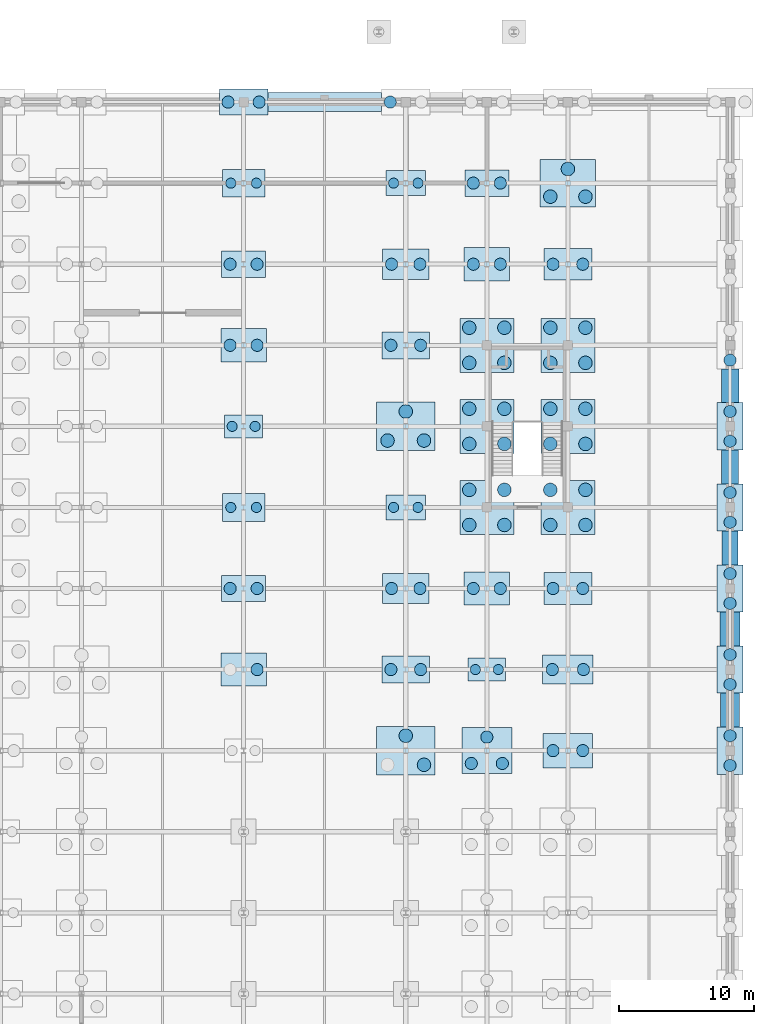
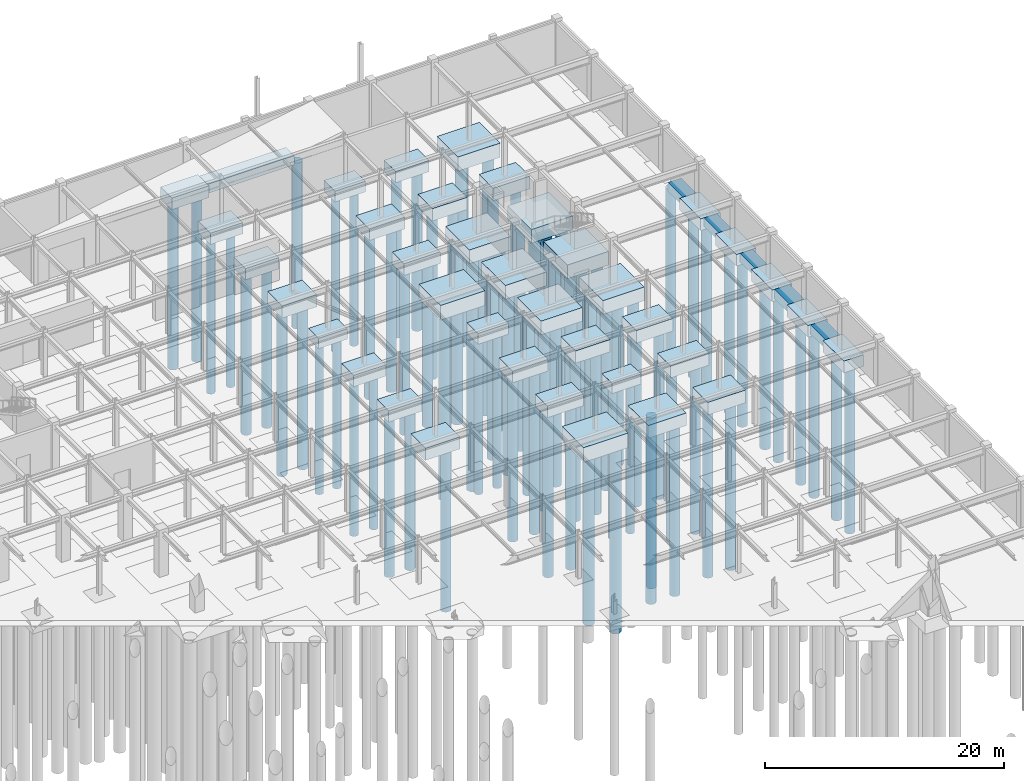
# One storey, part 10 of 69: 90 piles, 43 footings.
"""IFC4 building model written with IfcOpenShell, lengths in metres."""

from ifc_helpers import new_model, si_unit, direction, frame, origin, origin_2d, place, context, subcontext, project, spatial, rectangle, circle, extrude, material, material_profile, profile_set, type_object, element, save


model = new_model("IFC4")

# Units and contexts
model_context = context("Model", 3, precision=1e-05, world=origin(), true_north=direction((0.0, 1.0)))
body_context = subcontext(model_context, "Body", "Model", "MODEL_VIEW")
ifc_project = project(units=[si_unit("LENGTHUNIT", "METRE"), si_unit("AREAUNIT", "SQUARE_METRE"), si_unit("VOLUMEUNIT", "CUBIC_METRE"), si_unit("PLANEANGLEUNIT", "RADIAN"), si_unit("MASSUNIT", "GRAM", prefix="KILO")], contexts=[model_context])

# Site, building, storey
site_placement = place(None, origin())
site = spatial("IfcSite", under=ifc_project, at=site_placement, CompositionType="ELEMENT")
building_placement = place(site_placement, origin())
building = spatial("IfcBuilding", under=site, at=building_placement, Name="Zlatovratsky Civic Hall", CompositionType="ELEMENT")
storey_placement = place(building_placement, frame((0.0, 0.0, -4.800048828125)))
storey = spatial("IfcBuildingStorey", under=building, at=storey_placement, Name="B1", CompositionType="ELEMENT", Elevation=-4.800048828125)

# Footings
ifc_material = material(Name="Concrete C25/30 (B30)", Category="concrete")
footing_type_1 = type_object("IfcFootingType", Name="Footing_Cap2_ArchiveN_3500x2000x1200", PredefinedType="PILE_CAP", material=ifc_material)
for number, where, z_axis, x_axis, name in (
    (1, (144.0, 72.0, -1.19970703125), (0.0, 0.0, 1.0), (1.0, 0.0, 0.0), "FD-250"),
    (2, (144.0, 96.0, -1.19970703125), (0.0, 0.0, 1.0), (1.0, 0.0, 0.0), "FD-342"),
):
    element("IfcFooting", number, at=place(storey_placement, frame(where, z_axis=z_axis, x_axis=x_axis)), inside=storey, type_object=footing_type_1, Name=name, PredefinedType="PILE_CAP", context=body_context, shape_type="SweptSolid", body=[
        extrude(rectangle(XDim=3.5, YDim=2.0, at=origin_2d()), origin(), (0.0, 0.0, 1.0), 1.199951171875),
    ])
footing_type_2 = type_object("IfcFootingType", Name="Footing_Cap2_ArchiveS_3250x1950x1150", PredefinedType="PILE_CAP", material=ifc_material)
for number, where, z_axis, x_axis, name in (
    (3, (132.0, 78.0, -1.14990234375), (0.0, 0.0, 1.0), (1.0, 0.0, 0.0), "FD-272"),
    (4, (132.0, 102.0, -1.14990234375), (0.0, 0.0, 1.0), (1.0, 0.0, 0.0), "FD-364"),
    (5, (150.0, 108.0, -1.14990234375), (0.0, 0.0, 1.0), (1.0, 0.0, 0.0), "FD-389"),
):
    element("IfcFooting", number, at=place(storey_placement, frame(where, z_axis=z_axis, x_axis=x_axis)), inside=storey, type_object=footing_type_2, Name=name, PredefinedType="PILE_CAP", context=body_context, shape_type="SweptSolid", body=[
        extrude(rectangle(XDim=3.25, YDim=1.949951171875, at=origin_2d()), origin(), (0.0, 0.0, 1.0), 1.14990234375),
    ])
footing_type_3 = type_object("IfcFootingType", Name="Footing_Cap2_Boulevard_3550x2350x1300", PredefinedType="PILE_CAP", material=ifc_material)
for number, where, z_axis, x_axis, name in (
    (6, (156.0, 78.0, -1.2998046875), (0.0, 0.0, 1.0), (1.0, 0.0, 0.0), "FD-275"),
    (7, (156.0, 102.0, -1.2998046875), (0.0, 0.0, 1.0), (1.0, 0.0, 0.0), "FD-367"),
):
    element("IfcFooting", number, at=place(storey_placement, frame(where, z_axis=z_axis, x_axis=x_axis)), inside=storey, type_object=footing_type_3, Name=name, PredefinedType="PILE_CAP", context=body_context, shape_type="SweptSolid", body=[
        extrude(rectangle(XDim=3.550048828125, YDim=2.35009765625, at=origin_2d()), origin(), (0.0, 0.0, 1.0), 1.300048828125),
    ])
footing_type_4 = type_object("IfcFootingType", Name="Footing_Cap2_CourtN_2950x1850x1100", PredefinedType="PILE_CAP", material=ifc_material)
for number, where, z_axis, x_axis, name in (
    (8, (144.0, 84.0, -1.10009765625), (0.0, 0.0, 1.0), (1.0, 0.0, 0.0), "FD-296"),
    (9, (144.0, 108.0, -1.10009765625), (0.0, 0.0, 1.0), (1.0, 0.0, 0.0), "FD-388"),
):
    element("IfcFooting", number, at=place(storey_placement, frame(where, z_axis=z_axis, x_axis=x_axis)), inside=storey, type_object=footing_type_4, Name=name, PredefinedType="PILE_CAP", context=body_context, shape_type="SweptSolid", body=[
        extrude(rectangle(XDim=2.949951171875, YDim=1.85009765625, at=origin_2d()), origin(), (0.0, 0.0, 1.0), 1.10009765625),
    ])
footing_type_5 = type_object("IfcFootingType", Name="Footing_Cap2_CourtS_2800x1700x1050", PredefinedType="PILE_CAP", material=ifc_material)
for number, where, z_axis, x_axis, name in (
    (10, (150.0, 72.0, -1.0498046875), (0.0, 0.0, 1.0), (1.0, 0.0, 0.0), "FD-251"),
    (11, (132.0, 90.0, -1.0498046875), (0.0, 0.0, 1.0), (1.0, 0.0, 0.0), "FD-318"),
):
    element("IfcFooting", number, at=place(storey_placement, frame(where, z_axis=z_axis, x_axis=x_axis)), inside=storey, type_object=footing_type_5, Name=name, PredefinedType="PILE_CAP", context=body_context, shape_type="SweptSolid", body=[
        extrude(rectangle(XDim=2.800048828125, YDim=1.699951171875, at=origin_2d()), origin(), (0.0, 0.0, 1.0), 1.050048828125),
    ])
footing_type_6 = type_object("IfcFootingType", Name="Footing_Cap2_Galleria_3150x2050x1150", PredefinedType="PILE_CAP", material=ifc_material)
for number, where, z_axis, x_axis, name in (
    (12, (132.0, 84.0, -1.14990234375), (0.0, 0.0, 1.0), (1.0, 0.0, 0.0), "FD-295"),
    (13, (132.0, 108.0, -1.14990234375), (0.0, 0.0, 1.0), (1.0, 0.0, 0.0), "FD-387"),
):
    element("IfcFooting", number, at=place(storey_placement, frame(where, z_axis=z_axis, x_axis=x_axis)), inside=storey, type_object=footing_type_6, Name=name, PredefinedType="PILE_CAP", context=body_context, shape_type="SweptSolid", body=[
        extrude(rectangle(XDim=3.14990234375, YDim=2.050048828125, at=origin_2d()), origin(), (0.0, 0.0, 1.0), 1.14990234375),
    ])
footing_type_7 = type_object("IfcFootingType", Name="Footing_Cap2_LibraryE_3650x2550x1300", PredefinedType="PILE_CAP", material=ifc_material)
footing_1_placement = place(storey_placement, frame((156.0, 66.0, -1.2998046875), z_axis=(0.0, 0.0, 1.0), x_axis=(1.0, 0.0, 0.0)))
element("IfcFooting", 14, at=footing_1_placement, inside=storey, type_object=footing_type_7, Name="FD-229", PredefinedType="PILE_CAP", context=body_context, shape_type="SweptSolid", body=[
    extrude(rectangle(XDim=3.64990234375, YDim=2.550048828125, at=origin_2d()), origin(), (0.0, 0.0, 1.0), 1.300048828125),
])
footing_type_8 = type_object("IfcFootingType", Name="Footing_Cap2_PlantB1_3350x2450x1250", PredefinedType="PILE_CAP", material=ifc_material)
for number, where, z_axis, x_axis, name in (
    (15, (132.0, 72.0, -1.25), (0.0, 0.0, 1.0), (1.0, 0.0, 0.0), "FD-249"),
    (16, (150.0, 78.0, -1.25), (0.0, 0.0, 1.0), (1.0, 0.0, 0.0), "FD-274"),
    (17, (132.0, 96.0, -1.25), (0.0, 0.0, 1.0), (1.0, 0.0, 0.0), "FD-341"),
    (18, (150.0, 102.0, -1.25), (0.0, 0.0, 1.0), (1.0, 0.0, 0.0), "FD-366"),
):
    element("IfcFooting", number, at=place(storey_placement, frame(where, z_axis=z_axis, x_axis=x_axis)), inside=storey, type_object=footing_type_8, Name=name, PredefinedType="PILE_CAP", context=body_context, shape_type="SweptSolid", body=[
        extrude(rectangle(XDim=3.35009765625, YDim=2.449951171875, at=origin_2d()), origin(), (0.0, 0.0, 1.0), 1.25),
    ])
footing_type_9 = type_object("IfcFootingType", Name="Footing_Cap2_ReceptionW_3450x2250x1200", PredefinedType="PILE_CAP", material=ifc_material)
for number, where, z_axis, x_axis, name in (
    (19, (144.0, 78.0, -1.19970703125), (0.0, 0.0, 1.0), (1.0, 0.0, 0.0), "FD-273"),
    (20, (144.0, 102.0, -1.19970703125), (0.0, 0.0, 1.0), (1.0, 0.0, 0.0), "FD-365"),
):
    element("IfcFooting", number, at=place(storey_placement, frame(where, z_axis=z_axis, x_axis=x_axis)), inside=storey, type_object=footing_type_9, Name=name, PredefinedType="PILE_CAP", context=body_context, shape_type="SweptSolid", body=[
        extrude(rectangle(XDim=3.449951171875, YDim=2.25, at=origin_2d()), origin(), (0.0, 0.0, 1.0), 1.199951171875),
    ])
footing_type_10 = type_object("IfcFootingType", Name="Footing_Cap2_ServiceE_3750x2150x1250", PredefinedType="PILE_CAP", material=ifc_material)
footing_2_placement = place(storey_placement, frame((156.0, 72.0, -1.25), z_axis=(0.0, 0.0, 1.0), x_axis=(1.0, 0.0, 0.0)))
element("IfcFooting", 21, at=footing_2_placement, inside=storey, type_object=footing_type_10, Name="FD-252", PredefinedType="PILE_CAP", context=body_context, shape_type="SweptSolid", body=[
    extrude(rectangle(XDim=3.75, YDim=2.14990234375, at=origin_2d()), origin(), (0.0, 0.0, 1.0), 1.25),
])
footing_type_11 = type_object("IfcFootingType", Name="Footing_Cap2_WingEdgeX_3600x1900x1200", PredefinedType="PILE_CAP", material=ifc_material)
footing_3_placement = place(storey_placement, frame((132.0, 114.0, -1.19970703125), z_axis=(0.0, 0.0, 1.0), x_axis=(1.0, 0.0, 0.0)))
element("IfcFooting", 22, at=footing_3_placement, inside=storey, type_object=footing_type_11, Name="FD-410", PredefinedType="PILE_CAP", context=body_context, shape_type="SweptSolid", body=[
    extrude(rectangle(XDim=3.60009765625, YDim=1.89990234375, at=origin_2d()), origin(), (0.0, 0.0, 1.0), 1.199951171875),
])
footing_type_12 = type_object("IfcFootingType", Name="Footing_Cap2_WingEdgeY_1900x3500x1200", PredefinedType="PILE_CAP", material=ifc_material)
for number, where, z_axis, x_axis, name in (
    (23, (168.0, 66.0, -1.19970703125), (0.0, 0.0, 1.0), (1.0, 0.0, 0.0), "FD-230"),
    (24, (168.0, 72.0, -1.19970703125), (0.0, 0.0, 1.0), (1.0, 0.0, 0.0), "FD-253"),
    (25, (168.0, 78.0, -1.19970703125), (0.0, 0.0, 1.0), (1.0, 0.0, 0.0), "FD-276"),
    (26, (168.0, 84.0, -1.19970703125), (0.0, 0.0, 1.0), (1.0, 0.0, 0.0), "FD-299"),
    (27, (168.0, 90.0, -1.19970703125), (0.0, 0.0, 1.0), (1.0, 0.0, 0.0), "FD-322"),
):
    element("IfcFooting", number, at=place(storey_placement, frame(where, z_axis=z_axis, x_axis=x_axis)), inside=storey, type_object=footing_type_12, Name=name, PredefinedType="PILE_CAP", context=body_context, shape_type="SweptSolid", body=[
        extrude(rectangle(XDim=1.89990234375, YDim=3.5, at=origin_2d()), origin(), (0.0, 0.0, 1.0), 1.199951171875),
    ])
footing_type_13 = type_object("IfcFootingType", Name="Footing_Cap3_CourtEdge_3700x3400x1300", PredefinedType="PILE_CAP", material=ifc_material)
footing_4_placement = place(storey_placement, frame((150.0, 66.0, -1.2998046875), z_axis=(0.0, 0.0, 1.0), x_axis=(1.0, 0.0, 0.0)))
element("IfcFooting", 28, at=footing_4_placement, inside=storey, type_object=footing_type_13, Name="FD-228", PredefinedType="PILE_CAP", context=body_context, shape_type="SweptSolid", body=[
    extrude(rectangle(XDim=3.699951171875, YDim=3.39990234375, at=origin_2d()), origin(), (0.0, 0.0, 1.0), 1.300048828125),
])
footing_type_14 = type_object("IfcFootingType", Name="Footing_Cap3_TowerFlank_4100x3500x1450", PredefinedType="PILE_CAP", material=ifc_material)
footing_5_placement = place(storey_placement, frame((156.0, 108.0, -1.44970703125), z_axis=(0.0, 0.0, 1.0), x_axis=(1.0, 0.0, 0.0)))
element("IfcFooting", 29, at=footing_5_placement, inside=storey, type_object=footing_type_14, Name="FD-390", PredefinedType="PILE_CAP", context=body_context, shape_type="SweptSolid", body=[
    extrude(rectangle(XDim=4.10009765625, YDim=3.5, at=origin_2d()), origin(), (0.0, 0.0, 1.0), 1.449951171875),
])
footing_type_15 = type_object("IfcFootingType", Name="Footing_Cap3_TowerNorth_4300x3600x1500", PredefinedType="PILE_CAP", material=ifc_material)
for number, where, z_axis, x_axis, name in (
    (30, (144.0, 66.0, -1.5), (0.0, 0.0, 1.0), (1.0, 0.0, 0.0), "FD-227"),
    (31, (144.0, 90.0, -1.5), (0.0, 0.0, 1.0), (1.0, 0.0, 0.0), "FD-319"),
):
    element("IfcFooting", number, at=place(storey_placement, frame(where, z_axis=z_axis, x_axis=x_axis)), inside=storey, type_object=footing_type_15, Name=name, PredefinedType="PILE_CAP", context=body_context, shape_type="SweptSolid", body=[
        extrude(rectangle(XDim=4.300048828125, YDim=3.60009765625, at=origin_2d()), origin(), (0.0, 0.0, 1.0), 1.5),
    ])
footing_type_16 = type_object("IfcFootingType", Name="Footing_Cap4_PodiumCore_4000x4000x1400", PredefinedType="PILE_CAP", material=ifc_material)
for number, where, z_axis, x_axis, name in (
    (32, (150.0, 84.0, -1.39990234375), (0.0, 0.0, 1.0), (1.0, 0.0, 0.0), "FD-297"),
    (33, (156.0, 84.0, -1.39990234375), (0.0, 0.0, 1.0), (1.0, 0.0, 0.0), "FD-298"),
    (34, (150.0, 90.0, -1.39990234375), (0.0, 0.0, 1.0), (1.0, 0.0, 0.0), "FD-320"),
    (35, (156.0, 90.0, -1.39990234375), (0.0, 0.0, 1.0), (1.0, 0.0, 0.0), "FD-321"),
    (36, (150.0, 96.0, -1.39990234375), (0.0, 0.0, 1.0), (1.0, 0.0, 0.0), "FD-343"),
    (37, (156.0, 96.0, -1.39990234375), (0.0, 0.0, 1.0), (1.0, 0.0, 0.0), "FD-344"),
):
    element("IfcFooting", number, at=place(storey_placement, frame(where, z_axis=z_axis, x_axis=x_axis)), inside=storey, type_object=footing_type_16, Name=name, PredefinedType="PILE_CAP", context=body_context, shape_type="SweptSolid", body=[
        extrude(rectangle(XDim=4.0, YDim=4.0, at=origin_2d()), origin(), (0.0, 0.0, 1.0), 1.39990234375),
    ])
footing_type_17 = type_object("IfcFootingType", Name="Footing_Strip_B1_01", PredefinedType="STRIP_FOOTING", material=ifc_material)
footing_6_placement = place(storey_placement, frame((168.0, 81.0, -0.85009765625), z_axis=(0.0, 0.0, 1.0), x_axis=(1.0, 0.0, 0.0)))
element("IfcFooting", 38, at=footing_6_placement, inside=storey, type_object=footing_type_17, Name="FD-487", PredefinedType="STRIP_FOOTING", context=body_context, shape_type="SweptSolid", body=[
    extrude(rectangle(XDim=1.199951171875, YDim=2.5, at=origin_2d()), origin(), (0.0, 0.0, 1.0), 0.85009765625),
])
footing_type_18 = type_object("IfcFootingType", Name="Footing_Strip_B1_02", PredefinedType="STRIP_FOOTING", material=ifc_material)
footing_7_placement = place(storey_placement, frame((168.0, 87.0, -0.85009765625), z_axis=(0.0, 0.0, 1.0), x_axis=(1.0, 0.0, 0.0)))
element("IfcFooting", 39, at=footing_7_placement, inside=storey, type_object=footing_type_18, Name="FD-488", PredefinedType="STRIP_FOOTING", context=body_context, shape_type="SweptSolid", body=[
    extrude(rectangle(XDim=1.25, YDim=2.5, at=origin_2d()), origin(), (0.0, 0.0, 1.0), 0.85009765625),
])
footing_type_19 = type_object("IfcFootingType", Name="Footing_Strip_B1_03", PredefinedType="STRIP_FOOTING", material=ifc_material)
footing_8_placement = place(storey_placement, frame((168.0, 93.0, -0.89990234375), z_axis=(0.0, 0.0, 1.0), x_axis=(1.0, 0.0, 0.0)))
element("IfcFooting", 40, at=footing_8_placement, inside=storey, type_object=footing_type_19, Name="FD-489", PredefinedType="STRIP_FOOTING", context=body_context, shape_type="SweptSolid", body=[
    extrude(rectangle(XDim=1.300048828125, YDim=2.5, at=origin_2d()), origin(), (0.0, 0.0, 1.0), 0.89990234375),
])
footing_type_20 = type_object("IfcFootingType", Name="Footing_Strip_B1_05", PredefinedType="STRIP_FOOTING", material=ifc_material)
footing_9_placement = place(storey_placement, frame((138.0, 114.0, -0.94970703125), z_axis=(0.0, 0.0, 1.0), x_axis=(1.0, 0.0, 0.0)))
element("IfcFooting", 41, at=footing_9_placement, inside=storey, type_object=footing_type_20, Name="FD-455", PredefinedType="STRIP_FOOTING", context=body_context, shape_type="SweptSolid", body=[
    extrude(rectangle(XDim=8.39990234375, YDim=1.39990234375, at=origin_2d()), origin(), (0.0, 0.0, 1.0), 0.949951171875),
])
footing_10_placement = place(storey_placement, frame((168.0, 69.0, -0.94970703125), z_axis=(0.0, 0.0, 1.0), x_axis=(1.0, 0.0, 0.0)))
element("IfcFooting", 42, at=footing_10_placement, inside=storey, type_object=footing_type_20, Name="FD-485", PredefinedType="STRIP_FOOTING", context=body_context, shape_type="SweptSolid", body=[
    extrude(rectangle(XDim=1.39990234375, YDim=2.5, at=origin_2d()), origin(), (0.0, 0.0, 1.0), 0.949951171875),
])
footing_type_21 = type_object("IfcFootingType", Name="Footing_Strip_B1_06", PredefinedType="STRIP_FOOTING", material=ifc_material)
footing_11_placement = place(storey_placement, frame((168.0, 75.0, -0.94970703125), z_axis=(0.0, 0.0, 1.0), x_axis=(1.0, 0.0, 0.0)))
element("IfcFooting", 43, at=footing_11_placement, inside=storey, type_object=footing_type_21, Name="FD-486", PredefinedType="STRIP_FOOTING", context=body_context, shape_type="SweptSolid", body=[
    extrude(rectangle(XDim=1.449951171875, YDim=2.5, at=origin_2d()), origin(), (0.0, 0.0, 1.0), 0.949951171875),
])

# Piles
ifc_material_profile_1 = material_profile(ifc_material, circle(Radius=0.5, at=origin_2d()), Name="PILE D1000")
ifc_profile_set_1 = profile_set([ifc_material_profile_1], Name="Concrete C25/30 (B30)")
pile_type_1 = type_object("IfcPileType", Name="Pile_Bored_D1000", PredefinedType="BORED", material=ifc_profile_set_1)
for number, where, z_axis, x_axis, name in (
    (44, (145.35009765625, 64.949951171875, -1.39990234375), (0.0, 0.0, -1.0), (1.0, 0.0, 0.0), "PL-0557"),
    (45, (144.0, 67.10009765625, -1.39990234375), (0.0, 0.0, -1.0), (1.0, 0.0, 0.0), "PL-0558"),
):
    element("IfcPile", number, at=place(storey_placement, frame(where, z_axis=z_axis, x_axis=x_axis)), inside=storey, type_object=pile_type_1, Name=name, PredefinedType="BORED", context=body_context, shape_type="SweptSolid", body=[
        extrude(circle(Radius=0.5, at=origin_2d()), origin(), (0.0, 0.0, 1.0), 19.0),
    ])
for number, where, z_axis, x_axis, name in (
    (46, (148.699951171875, 82.699951171875, -1.300048828125), (0.0, 0.0, -1.0), (1.0, 0.0, 0.0), "PL-0772"),
    (47, (151.300048828125, 82.699951171875, -1.300048828125), (0.0, 0.0, -1.0), (1.0, 0.0, 0.0), "PL-0773"),
    (48, (148.699951171875, 85.300048828125, -1.300048828125), (0.0, 0.0, -1.0), (1.0, 0.0, 0.0), "PL-0774"),
    (49, (151.300048828125, 85.300048828125, -1.300048828125), (0.0, 0.0, -1.0), (1.0, 0.0, 0.0), "PL-0775"),
    (50, (154.699951171875, 82.699951171875, -1.300048828125), (0.0, 0.0, -1.0), (1.0, 0.0, 0.0), "PL-0776"),
    (51, (157.300048828125, 82.699951171875, -1.300048828125), (0.0, 0.0, -1.0), (1.0, 0.0, 0.0), "PL-0777"),
    (52, (154.699951171875, 85.300048828125, -1.300048828125), (0.0, 0.0, -1.0), (1.0, 0.0, 0.0), "PL-0778"),
    (53, (157.300048828125, 85.300048828125, -1.300048828125), (0.0, 0.0, -1.0), (1.0, 0.0, 0.0), "PL-0779"),
):
    element("IfcPile", number, at=place(storey_placement, frame(where, z_axis=z_axis, x_axis=x_axis)), inside=storey, type_object=pile_type_1, Name=name, PredefinedType="BORED", context=body_context, shape_type="SweptSolid", body=[
        extrude(circle(Radius=0.5, at=origin_2d()), origin(), (0.0, 0.0, 1.0), 18.5),
    ])
for number, where, z_axis, x_axis, name in (
    (54, (142.64990234375, 88.949951171875, -1.39990234375), (0.0, 0.0, -1.0), (1.0, 0.0, 0.0), "PL-0846"),
    (55, (145.35009765625, 88.949951171875, -1.39990234375), (0.0, 0.0, -1.0), (1.0, 0.0, 0.0), "PL-0847"),
    (56, (144.0, 91.10009765625, -1.39990234375), (0.0, 0.0, -1.0), (1.0, 0.0, 0.0), "PL-0848"),
):
    element("IfcPile", number, at=place(storey_placement, frame(where, z_axis=z_axis, x_axis=x_axis)), inside=storey, type_object=pile_type_1, Name=name, PredefinedType="BORED", context=body_context, shape_type="SweptSolid", body=[
        extrude(circle(Radius=0.5, at=origin_2d()), origin(), (0.0, 0.0, 1.0), 19.0),
    ])
for number, where, z_axis, x_axis, name in (
    (57, (148.699951171875, 88.699951171875, -1.300048828125), (0.0, 0.0, -1.0), (1.0, 0.0, 0.0), "PL-0849"),
    (58, (151.300048828125, 88.699951171875, -1.300048828125), (0.0, 0.0, -1.0), (1.0, 0.0, 0.0), "PL-0850"),
    (59, (148.699951171875, 91.300048828125, -1.300048828125), (0.0, 0.0, -1.0), (1.0, 0.0, 0.0), "PL-0851"),
    (60, (151.300048828125, 91.300048828125, -1.300048828125), (0.0, 0.0, -1.0), (1.0, 0.0, 0.0), "PL-0852"),
    (61, (154.699951171875, 88.699951171875, -1.300048828125), (0.0, 0.0, -1.0), (1.0, 0.0, 0.0), "PL-0853"),
    (62, (157.300048828125, 88.699951171875, -1.300048828125), (0.0, 0.0, -1.0), (1.0, 0.0, 0.0), "PL-0854"),
    (63, (154.699951171875, 91.300048828125, -1.300048828125), (0.0, 0.0, -1.0), (1.0, 0.0, 0.0), "PL-0855"),
    (64, (157.300048828125, 91.300048828125, -1.300048828125), (0.0, 0.0, -1.0), (1.0, 0.0, 0.0), "PL-0856"),
    (65, (148.699951171875, 94.699951171875, -1.300048828125), (0.0, 0.0, -1.0), (1.0, 0.0, 0.0), "PL-0927"),
    (66, (151.300048828125, 94.699951171875, -1.300048828125), (0.0, 0.0, -1.0), (1.0, 0.0, 0.0), "PL-0928"),
    (67, (148.699951171875, 97.300048828125, -1.300048828125), (0.0, 0.0, -1.0), (1.0, 0.0, 0.0), "PL-0929"),
    (68, (151.300048828125, 97.300048828125, -1.300048828125), (0.0, 0.0, -1.0), (1.0, 0.0, 0.0), "PL-0930"),
    (69, (154.699951171875, 94.699951171875, -1.300048828125), (0.0, 0.0, -1.0), (1.0, 0.0, 0.0), "PL-0931"),
    (70, (157.300048828125, 94.699951171875, -1.300048828125), (0.0, 0.0, -1.0), (1.0, 0.0, 0.0), "PL-0932"),
    (71, (154.699951171875, 97.300048828125, -1.300048828125), (0.0, 0.0, -1.0), (1.0, 0.0, 0.0), "PL-0933"),
    (72, (157.300048828125, 97.300048828125, -1.300048828125), (0.0, 0.0, -1.0), (1.0, 0.0, 0.0), "PL-0934"),
    (73, (154.699951171875, 107.0, -1.349853515625), (0.0, 0.0, -1.0), (1.0, 0.0, 0.0), "PL-1071"),
    (74, (157.300048828125, 107.0, -1.349853515625), (0.0, 0.0, -1.0), (1.0, 0.0, 0.0), "PL-1072"),
    (75, (156.0, 109.050048828125, -1.349853515625), (0.0, 0.0, -1.0), (1.0, 0.0, 0.0), "PL-1073"),
):
    element("IfcPile", number, at=place(storey_placement, frame(where, z_axis=z_axis, x_axis=x_axis)), inside=storey, type_object=pile_type_1, Name=name, PredefinedType="BORED", context=body_context, shape_type="SweptSolid", body=[
        extrude(circle(Radius=0.5, at=origin_2d()), origin(), (0.0, 0.0, 1.0), 18.5),
    ])
ifc_material_profile_2 = material_profile(ifc_material, circle(Radius=0.375, at=origin_2d()), Name="PILE D750")
ifc_profile_set_2 = profile_set([ifc_material_profile_2], Name="Concrete C25/30 (B30)")
pile_type_2 = type_object("IfcPileType", Name="Pile_Bored_D750", PredefinedType="BORED", material=ifc_profile_set_2)
for number, where, z_axis, x_axis, name in (
    (76, (149.14990234375, 72.0, -0.949951171875), (0.0, 0.0, -1.0), (1.0, 0.0, 0.0), "PL-0631"),
    (77, (150.85009765625, 72.0, -0.949951171875), (0.0, 0.0, -1.0), (1.0, 0.0, 0.0), "PL-0632"),
):
    element("IfcPile", number, at=place(storey_placement, frame(where, z_axis=z_axis, x_axis=x_axis)), inside=storey, type_object=pile_type_2, Name=name, PredefinedType="BORED", context=body_context, shape_type="SweptSolid", body=[
        extrude(circle(Radius=0.375, at=origin_2d()), origin(), (0.0, 0.0, 1.0), 15.5),
    ])
for number, where, z_axis, x_axis, name in (
    (78, (131.050048828125, 84.0, -1.050048828125), (0.0, 0.0, -1.0), (1.0, 0.0, 0.0), "PL-0768"),
    (79, (132.949951171875, 84.0, -1.050048828125), (0.0, 0.0, -1.0), (1.0, 0.0, 0.0), "PL-0769"),
    (80, (143.10009765625, 84.0, -1.0), (0.0, 0.0, -1.0), (1.0, 0.0, 0.0), "PL-0770"),
    (81, (144.89990234375, 84.0, -1.0), (0.0, 0.0, -1.0), (1.0, 0.0, 0.0), "PL-0771"),
):
    element("IfcPile", number, at=place(storey_placement, frame(where, z_axis=z_axis, x_axis=x_axis)), inside=storey, type_object=pile_type_2, Name=name, PredefinedType="BORED", context=body_context, shape_type="SweptSolid", body=[
        extrude(circle(Radius=0.375, at=origin_2d()), origin(), (0.0, 0.0, 1.0), 16.0),
    ])
for number, where, z_axis, x_axis, name in (
    (82, (131.14990234375, 90.0, -0.949951171875), (0.0, 0.0, -1.0), (1.0, 0.0, 0.0), "PL-0844"),
    (83, (132.85009765625, 90.0, -0.949951171875), (0.0, 0.0, -1.0), (1.0, 0.0, 0.0), "PL-0845"),
):
    element("IfcPile", number, at=place(storey_placement, frame(where, z_axis=z_axis, x_axis=x_axis)), inside=storey, type_object=pile_type_2, Name=name, PredefinedType="BORED", context=body_context, shape_type="SweptSolid", body=[
        extrude(circle(Radius=0.375, at=origin_2d()), origin(), (0.0, 0.0, 1.0), 15.5),
    ])
for number, where, z_axis, x_axis, name in (
    (84, (131.050048828125, 108.0, -1.050048828125), (0.0, 0.0, -1.0), (1.0, 0.0, 0.0), "PL-1065"),
    (85, (132.949951171875, 108.0, -1.050048828125), (0.0, 0.0, -1.0), (1.0, 0.0, 0.0), "PL-1066"),
    (86, (143.10009765625, 108.0, -1.0), (0.0, 0.0, -1.0), (1.0, 0.0, 0.0), "PL-1067"),
    (87, (144.89990234375, 108.0, -1.0), (0.0, 0.0, -1.0), (1.0, 0.0, 0.0), "PL-1068"),
):
    element("IfcPile", number, at=place(storey_placement, frame(where, z_axis=z_axis, x_axis=x_axis)), inside=storey, type_object=pile_type_2, Name=name, PredefinedType="BORED", context=body_context, shape_type="SweptSolid", body=[
        extrude(circle(Radius=0.375, at=origin_2d()), origin(), (0.0, 0.0, 1.0), 16.0),
    ])
ifc_material_profile_3 = material_profile(ifc_material, circle(Radius=0.449951171875, at=origin_2d()), Name="PILE D900")
ifc_profile_set_3 = profile_set([ifc_material_profile_3], Name="Concrete C25/30 (B30)")
pile_type_3 = type_object("IfcPileType", Name="Pile_Bored_D900", PredefinedType="BORED", material=ifc_profile_set_3)
for number, where, z_axis, x_axis, name in (
    (88, (148.85009765625, 65.050048828125, -1.199951171875), (0.0, 0.0, -1.0), (1.0, 0.0, 0.0), "PL-0559"),
    (89, (151.14990234375, 65.050048828125, -1.199951171875), (0.0, 0.0, -1.0), (1.0, 0.0, 0.0), "PL-0560"),
    (90, (150.0, 67.0, -1.199951171875), (0.0, 0.0, -1.0), (1.0, 0.0, 0.0), "PL-0561"),
    (91, (154.89990234375, 66.0, -1.199951171875), (0.0, 0.0, -1.0), (1.0, 0.0, 0.0), "PL-0562"),
    (92, (157.10009765625, 66.0, -1.199951171875), (0.0, 0.0, -1.0), (1.0, 0.0, 0.0), "PL-0563"),
):
    element("IfcPile", number, at=place(storey_placement, frame(where, z_axis=z_axis, x_axis=x_axis)), inside=storey, type_object=pile_type_3, Name=name, PredefinedType="BORED", context=body_context, shape_type="SweptSolid", body=[
        extrude(circle(Radius=0.449951171875, at=origin_2d()), origin(), (0.0, 0.0, 1.0), 17.5),
    ])
for number, where, z_axis, x_axis, name in (
    (93, (168.0, 64.89990234375, -1.099853515625), (0.0, 0.0, -1.0), (1.0, 0.0, 0.0), "PL-0564"),
    (94, (168.0, 67.10009765625, -1.099853515625), (0.0, 0.0, -1.0), (1.0, 0.0, 0.0), "PL-0565"),
    (95, (133.0, 72.0, -1.14990234375), (0.0, 0.0, -1.0), (1.0, 0.0, 0.0), "PL-0628"),
    (96, (142.89990234375, 72.0, -1.099853515625), (0.0, 0.0, -1.0), (1.0, 0.0, 0.0), "PL-0629"),
    (97, (145.10009765625, 72.0, -1.099853515625), (0.0, 0.0, -1.0), (1.0, 0.0, 0.0), "PL-0630"),
):
    element("IfcPile", number, at=place(storey_placement, frame(where, z_axis=z_axis, x_axis=x_axis)), inside=storey, type_object=pile_type_3, Name=name, PredefinedType="BORED", context=body_context, shape_type="SweptSolid", body=[
        extrude(circle(Radius=0.449951171875, at=origin_2d()), origin(), (0.0, 0.0, 1.0), 17.0),
    ])
for number, where, z_axis, x_axis, name in (
    (98, (154.85009765625, 72.0, -1.14990234375), (0.0, 0.0, -1.0), (1.0, 0.0, 0.0), "PL-0633"),
    (99, (157.14990234375, 72.0, -1.14990234375), (0.0, 0.0, -1.0), (1.0, 0.0, 0.0), "PL-0634"),
):
    element("IfcPile", number, at=place(storey_placement, frame(where, z_axis=z_axis, x_axis=x_axis)), inside=storey, type_object=pile_type_3, Name=name, PredefinedType="BORED", context=body_context, shape_type="SweptSolid", body=[
        extrude(circle(Radius=0.449951171875, at=origin_2d()), origin(), (0.0, 0.0, 1.0), 17.5),
    ])
for number, where, z_axis, x_axis, name in (
    (100, (168.0, 70.89990234375, -1.099853515625), (0.0, 0.0, -1.0), (1.0, 0.0, 0.0), "PL-0635"),
    (101, (168.0, 73.10009765625, -1.099853515625), (0.0, 0.0, -1.0), (1.0, 0.0, 0.0), "PL-0636"),
):
    element("IfcPile", number, at=place(storey_placement, frame(where, z_axis=z_axis, x_axis=x_axis)), inside=storey, type_object=pile_type_3, Name=name, PredefinedType="BORED", context=body_context, shape_type="SweptSolid", body=[
        extrude(circle(Radius=0.449951171875, at=origin_2d()), origin(), (0.0, 0.0, 1.0), 17.0),
    ])
for number, where, z_axis, x_axis, name in (
    (102, (131.0, 78.0, -1.050048828125), (0.0, 0.0, -1.0), (1.0, 0.0, 0.0), "PL-0696"),
    (103, (133.0, 78.0, -1.050048828125), (0.0, 0.0, -1.0), (1.0, 0.0, 0.0), "PL-0697"),
):
    element("IfcPile", number, at=place(storey_placement, frame(where, z_axis=z_axis, x_axis=x_axis)), inside=storey, type_object=pile_type_3, Name=name, PredefinedType="BORED", context=body_context, shape_type="SweptSolid", body=[
        extrude(circle(Radius=0.449951171875, at=origin_2d()), origin(), (0.0, 0.0, 1.0), 16.5),
    ])
for number, where, z_axis, x_axis, name in (
    (104, (142.949951171875, 78.0, -1.099853515625), (0.0, 0.0, -1.0), (1.0, 0.0, 0.0), "PL-0698"),
    (105, (145.050048828125, 78.0, -1.099853515625), (0.0, 0.0, -1.0), (1.0, 0.0, 0.0), "PL-0699"),
    (106, (149.0, 78.0, -1.14990234375), (0.0, 0.0, -1.0), (1.0, 0.0, 0.0), "PL-0700"),
    (107, (151.0, 78.0, -1.14990234375), (0.0, 0.0, -1.0), (1.0, 0.0, 0.0), "PL-0701"),
):
    element("IfcPile", number, at=place(storey_placement, frame(where, z_axis=z_axis, x_axis=x_axis)), inside=storey, type_object=pile_type_3, Name=name, PredefinedType="BORED", context=body_context, shape_type="SweptSolid", body=[
        extrude(circle(Radius=0.449951171875, at=origin_2d()), origin(), (0.0, 0.0, 1.0), 17.0),
    ])
for number, where, z_axis, x_axis, name in (
    (108, (154.89990234375, 78.0, -1.199951171875), (0.0, 0.0, -1.0), (1.0, 0.0, 0.0), "PL-0702"),
    (109, (157.10009765625, 78.0, -1.199951171875), (0.0, 0.0, -1.0), (1.0, 0.0, 0.0), "PL-0703"),
):
    element("IfcPile", number, at=place(storey_placement, frame(where, z_axis=z_axis, x_axis=x_axis)), inside=storey, type_object=pile_type_3, Name=name, PredefinedType="BORED", context=body_context, shape_type="SweptSolid", body=[
        extrude(circle(Radius=0.449951171875, at=origin_2d()), origin(), (0.0, 0.0, 1.0), 17.5),
    ])
for number, where, z_axis, x_axis, name in (
    (110, (168.0, 76.89990234375, -1.099853515625), (0.0, 0.0, -1.0), (1.0, 0.0, 0.0), "PL-0704"),
    (111, (168.0, 79.10009765625, -1.099853515625), (0.0, 0.0, -1.0), (1.0, 0.0, 0.0), "PL-0705"),
    (112, (168.0, 82.89990234375, -1.099853515625), (0.0, 0.0, -1.0), (1.0, 0.0, 0.0), "PL-0780"),
    (113, (168.0, 85.10009765625, -1.099853515625), (0.0, 0.0, -1.0), (1.0, 0.0, 0.0), "PL-0781"),
    (114, (168.0, 88.89990234375, -1.099853515625), (0.0, 0.0, -1.0), (1.0, 0.0, 0.0), "PL-0857"),
    (115, (168.0, 91.10009765625, -1.099853515625), (0.0, 0.0, -1.0), (1.0, 0.0, 0.0), "PL-0858"),
    (116, (131.0, 96.0, -1.14990234375), (0.0, 0.0, -1.0), (1.0, 0.0, 0.0), "PL-0923"),
    (117, (133.0, 96.0, -1.14990234375), (0.0, 0.0, -1.0), (1.0, 0.0, 0.0), "PL-0924"),
    (118, (142.89990234375, 96.0, -1.099853515625), (0.0, 0.0, -1.0), (1.0, 0.0, 0.0), "PL-0925"),
    (119, (145.10009765625, 96.0, -1.099853515625), (0.0, 0.0, -1.0), (1.0, 0.0, 0.0), "PL-0926"),
    (120, (168.0, 94.89990234375, -1.099853515625), (0.0, 0.0, -1.0), (1.0, 0.0, 0.0), "PL-0935"),
):
    element("IfcPile", number, at=place(storey_placement, frame(where, z_axis=z_axis, x_axis=x_axis)), inside=storey, type_object=pile_type_3, Name=name, PredefinedType="BORED", context=body_context, shape_type="SweptSolid", body=[
        extrude(circle(Radius=0.449951171875, at=origin_2d()), origin(), (0.0, 0.0, 1.0), 17.0),
    ])
for number, where, z_axis, x_axis, name in (
    (121, (131.0, 102.0, -1.050048828125), (0.0, 0.0, -1.0), (1.0, 0.0, 0.0), "PL-0996"),
    (122, (133.0, 102.0, -1.050048828125), (0.0, 0.0, -1.0), (1.0, 0.0, 0.0), "PL-0997"),
):
    element("IfcPile", number, at=place(storey_placement, frame(where, z_axis=z_axis, x_axis=x_axis)), inside=storey, type_object=pile_type_3, Name=name, PredefinedType="BORED", context=body_context, shape_type="SweptSolid", body=[
        extrude(circle(Radius=0.449951171875, at=origin_2d()), origin(), (0.0, 0.0, 1.0), 16.5),
    ])
for number, where, z_axis, x_axis, name in (
    (123, (142.949951171875, 102.0, -1.099853515625), (0.0, 0.0, -1.0), (1.0, 0.0, 0.0), "PL-0998"),
    (124, (145.050048828125, 102.0, -1.099853515625), (0.0, 0.0, -1.0), (1.0, 0.0, 0.0), "PL-0999"),
    (125, (149.0, 102.0, -1.14990234375), (0.0, 0.0, -1.0), (1.0, 0.0, 0.0), "PL-1000"),
    (126, (151.0, 102.0, -1.14990234375), (0.0, 0.0, -1.0), (1.0, 0.0, 0.0), "PL-1001"),
):
    element("IfcPile", number, at=place(storey_placement, frame(where, z_axis=z_axis, x_axis=x_axis)), inside=storey, type_object=pile_type_3, Name=name, PredefinedType="BORED", context=body_context, shape_type="SweptSolid", body=[
        extrude(circle(Radius=0.449951171875, at=origin_2d()), origin(), (0.0, 0.0, 1.0), 17.0),
    ])
for number, where, z_axis, x_axis, name in (
    (127, (154.89990234375, 102.0, -1.199951171875), (0.0, 0.0, -1.0), (1.0, 0.0, 0.0), "PL-1002"),
    (128, (157.10009765625, 102.0, -1.199951171875), (0.0, 0.0, -1.0), (1.0, 0.0, 0.0), "PL-1003"),
):
    element("IfcPile", number, at=place(storey_placement, frame(where, z_axis=z_axis, x_axis=x_axis)), inside=storey, type_object=pile_type_3, Name=name, PredefinedType="BORED", context=body_context, shape_type="SweptSolid", body=[
        extrude(circle(Radius=0.449951171875, at=origin_2d()), origin(), (0.0, 0.0, 1.0), 17.5),
    ])
for number, where, z_axis, x_axis, name in (
    (129, (149.0, 108.0, -1.050048828125), (0.0, 0.0, -1.0), (1.0, 0.0, 0.0), "PL-1069"),
    (130, (151.0, 108.0, -1.050048828125), (0.0, 0.0, -1.0), (1.0, 0.0, 0.0), "PL-1070"),
):
    element("IfcPile", number, at=place(storey_placement, frame(where, z_axis=z_axis, x_axis=x_axis)), inside=storey, type_object=pile_type_3, Name=name, PredefinedType="BORED", context=body_context, shape_type="SweptSolid", body=[
        extrude(circle(Radius=0.449951171875, at=origin_2d()), origin(), (0.0, 0.0, 1.0), 16.5),
    ])
for number, where, z_axis, x_axis, name in (
    (131, (130.85009765625, 114.0, -1.099853515625), (0.0, 0.0, -1.0), (1.0, 0.0, 0.0), "PL-1112"),
    (132, (133.14990234375, 114.0, -1.099853515625), (0.0, 0.0, -1.0), (1.0, 0.0, 0.0), "PL-1113"),
    (133, (142.85009765625, 114.0, -1.099853515625), (0.0, 0.0, -1.0), (1.0, 0.0, 0.0), "PL-1114"),
):
    element("IfcPile", number, at=place(storey_placement, frame(where, z_axis=z_axis, x_axis=x_axis)), inside=storey, type_object=pile_type_3, Name=name, PredefinedType="BORED", context=body_context, shape_type="SweptSolid", body=[
        extrude(circle(Radius=0.449951171875, at=origin_2d()), origin(), (0.0, 0.0, 1.0), 17.0),
    ])

save(model, "model.ifc")
